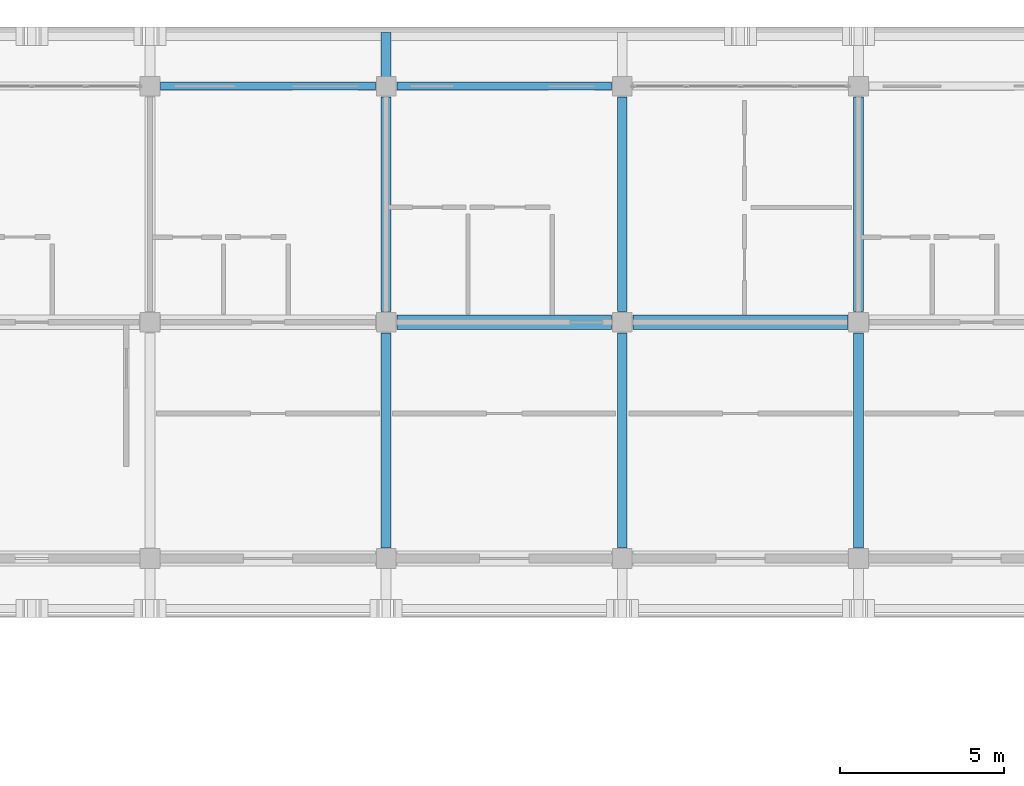
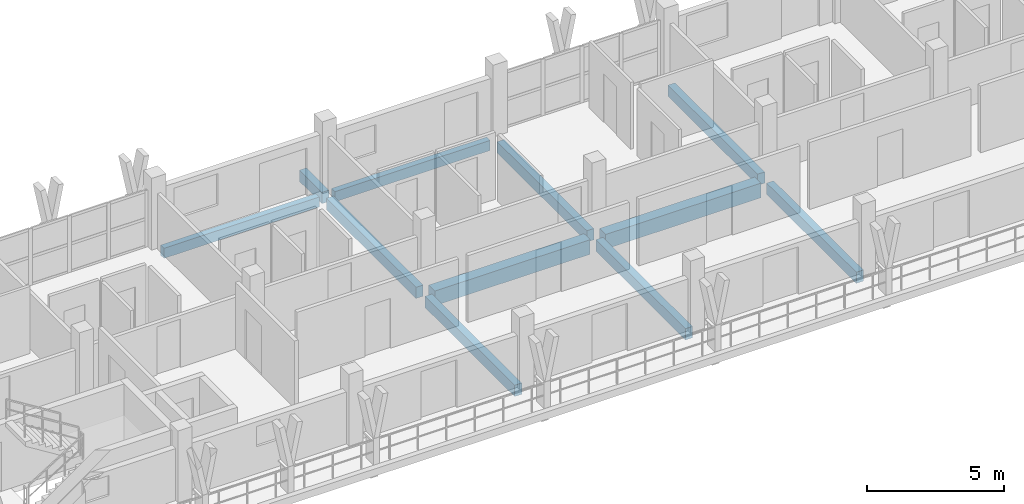
# One storey, part 16 of 73: 11 beams.
"""IFC4 building model written with IfcOpenShell, lengths in metres."""

from ifc_helpers import new_model, si_unit, direction, frame, origin, origin_2d, place, context, subcontext, project, spatial, rectangle, extrude, material, material_profile, profile_set, type_object, element, save


model = new_model("IFC4")

# Units and contexts
model_context = context("Model", 3, precision=1e-05, world=origin(), true_north=direction((0.0, 1.0)))
body_context = subcontext(model_context, "Body", "Model", "MODEL_VIEW")
ifc_project = project(units=[si_unit("LENGTHUNIT", "METRE"), si_unit("AREAUNIT", "SQUARE_METRE"), si_unit("VOLUMEUNIT", "CUBIC_METRE"), si_unit("PLANEANGLEUNIT", "RADIAN"), si_unit("MASSUNIT", "GRAM", prefix="KILO")], contexts=[model_context])

# Site, building, storey
site_placement = place(None, origin())
site = spatial("IfcSite", under=ifc_project, at=site_placement, CompositionType="ELEMENT")
building_placement = place(site_placement, origin())
building = spatial("IfcBuilding", under=site, at=building_placement, Name="Suanplinth Sawtooth Commons", CompositionType="ELEMENT")
storey_placement = place(building_placement, frame((0.0, 0.0, 21.89990234375)))
storey = spatial("IfcBuildingStorey", under=building, at=storey_placement, Name="L06", CompositionType="ELEMENT", Elevation=21.89990234375)

# Beams
ifc_material = material(Name="Precast concrete C40/50", Category="concrete")
ifc_material_profile_1 = material_profile(ifc_material, rectangle(XDim=0.449951171875, YDim=0.64990234375, at=origin_2d()), Name="PC-GDR 450x650")
ifc_profile_set_1 = profile_set([ifc_material_profile_1], Name="Precast concrete C40/50")
beam_type_1 = type_object("IfcBeamType", Name="B-04", PredefinedType="USERDEFINED", material=ifc_profile_set_1)
beam_1_placement = place(storey_placement, frame((79.52490234375, 115.199951171875, -0.56494140625), z_axis=(1.0, 0.0, 0.0), x_axis=(0.0, 1.0, 0.0)))
element("IfcBeam", 1, at=beam_1_placement, inside=storey, type_object=beam_type_1, Name="BMX-L06-A-11-16", ObjectType="GIRDER", PredefinedType="USERDEFINED", context=body_context, shape_type="SweptSolid", body=[
    extrude(rectangle(XDim=0.449951171875, YDim=0.64990234375, at=origin_2d()), origin(), (0.0, 0.0, 1.0), 6.550048828125),
])
beam_2_placement = place(storey_placement, frame((86.72509765625, 115.199951171875, -0.56494140625), z_axis=(1.0, 0.0, 0.0), x_axis=(0.0, 1.0, 0.0)))
element("IfcBeam", 2, at=beam_2_placement, inside=storey, type_object=beam_type_1, Name="BMX-L06-A-12-16", ObjectType="GIRDER", PredefinedType="USERDEFINED", context=body_context, shape_type="SweptSolid", body=[
    extrude(rectangle(XDim=0.449951171875, YDim=0.64990234375, at=origin_2d()), origin(), (0.0, 0.0, 1.0), 6.5498046875),
])
ifc_material_profile_2 = material_profile(ifc_material, rectangle(XDim=0.300048828125, YDim=0.5, at=origin_2d()), Name="PC-BM 300x500")
ifc_profile_set_2 = profile_set([ifc_material_profile_2], Name="Precast concrete C40/50")
beam_type_2 = type_object("IfcBeamType", Name="B-07", PredefinedType="BEAM", material=ifc_profile_set_2)
for number, where, z_axis, x_axis, name in (
    (3, (79.199951171875, 108.324951171875, -0.489990234375), (0.0, 1.0, 0.0), (-1.0, 0.0, 0.0), "BMY-L06-A-11-15"),
    (4, (79.199951171875, 115.52490234375, -0.489990234375), (0.0, 1.0, 0.0), (-1.0, 0.0, 0.0), "BMY-L06-A-11-16"),
    (5, (86.39990234375, 108.324951171875, -0.489990234375), (0.0, 1.0, 0.0), (-1.0, 0.0, 0.0), "BMY-L06-A-12-15"),
    (6, (86.39990234375, 115.52490234375, -0.489990234375), (0.0, 1.0, 0.0), (-1.0, 0.0, 0.0), "BMY-L06-A-12-16"),
    (7, (93.60009765625, 108.324951171875, -0.489990234375), (0.0, 1.0, 0.0), (-1.0, 0.0, 0.0), "BMY-L06-A-13-15"),
    (8, (93.60009765625, 115.52490234375, -0.489990234375), (0.0, 1.0, 0.0), (-1.0, 0.0, 0.0), "BMY-L06-A-13-16"),
):
    element("IfcBeam", number, at=place(storey_placement, frame(where, z_axis=z_axis, x_axis=x_axis)), inside=storey, type_object=beam_type_2, Name=name, PredefinedType="BEAM", context=body_context, shape_type="SweptSolid", body=[
        extrude(rectangle(XDim=0.300048828125, YDim=0.5, at=origin_2d()), origin(), (0.0, 0.0, 1.0), 6.550048828125),
    ])
beam_3_placement = place(storey_placement, frame((79.199951171875, 122.39990234375, -0.429931640625), z_axis=(0.0, 1.0, 0.0), x_axis=(-1.0, 0.0, 0.0)))
element("IfcBeam", 9, at=beam_3_placement, inside=storey, type_object=beam_type_2, Name="Balcony Outrigger L06-A-N-11", PredefinedType="BEAM", context=body_context, shape_type="SweptSolid", body=[
    extrude(rectangle(XDim=0.300048828125, YDim=0.5, at=origin_2d()), origin(), (0.0, 0.0, 1.0), 1.64013671875),
])
ifc_material_profile_3 = material_profile(ifc_material, rectangle(XDim=0.25, YDim=0.449951171875, at=origin_2d()), Name="PC-SP 250x450")
ifc_profile_set_3 = profile_set([ifc_material_profile_3], Name="Precast concrete C40/50")
beam_type_3 = type_object("IfcBeamType", Name="B-09", PredefinedType="SPANDREL", material=ifc_profile_set_3)
for number, where, z_axis, x_axis, name in (
    (10, (72.324951171875, 122.39990234375, -0.46484375), (1.0, 0.0, 0.0), (0.0, 1.0, 0.0), "BMX-L06-A-10-17"),
    (11, (79.52490234375, 122.39990234375, -0.46484375), (1.0, 0.0, 0.0), (0.0, 1.0, 0.0), "BMX-L06-A-11-17"),
):
    element("IfcBeam", number, at=place(storey_placement, frame(where, z_axis=z_axis, x_axis=x_axis)), inside=storey, type_object=beam_type_3, Name=name, PredefinedType="SPANDREL", context=body_context, shape_type="SweptSolid", body=[
        extrude(rectangle(XDim=0.25, YDim=0.449951171875, at=origin_2d()), origin(), (0.0, 0.0, 1.0), 6.550048828125),
    ])

save(model, "model.ifc")
